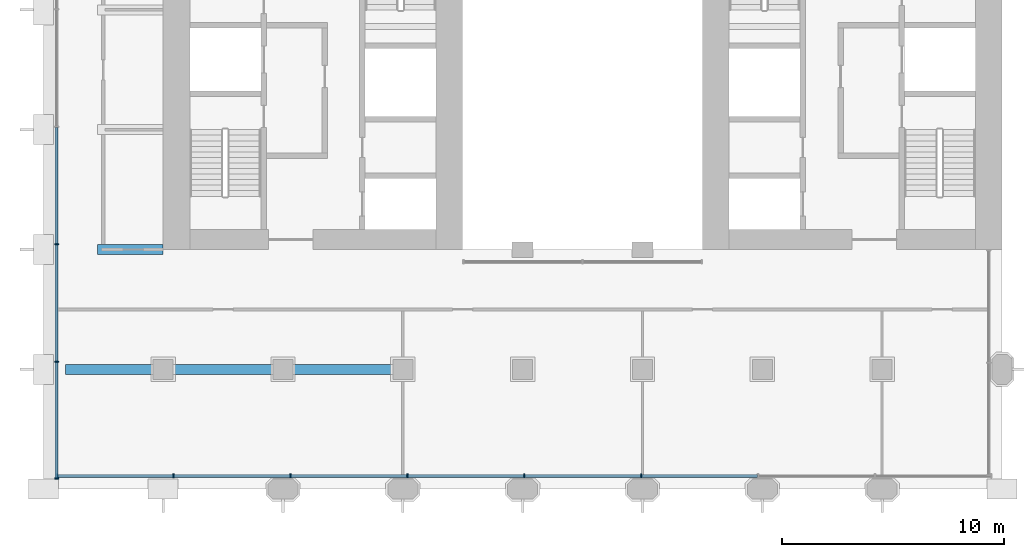
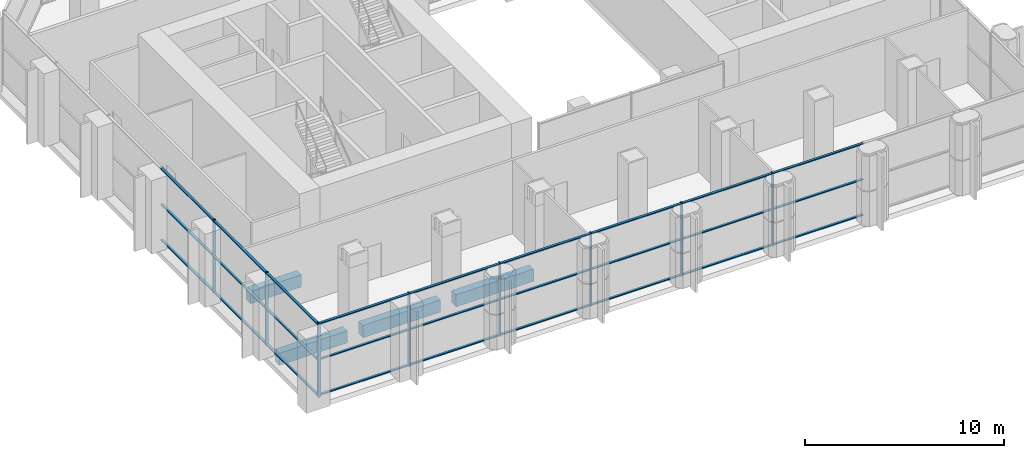
# One storey, part 2 of 15: 36 members, 4 beams, 2 elements without a shape of their own.
"""IFC4 building model written with IfcOpenShell, lengths in metres."""

from ifc_helpers import new_model, si_unit, direction, frame, origin, origin_2d, place, context, subcontext, project, spatial, rectangle, extrude, material, material_profile, profile_set, type_object, element, aggregate, save


model = new_model("IFC4")

# Units and contexts
model_context = context("Model", 3, precision=1e-05, world=origin(), true_north=direction((0.0, 1.0)))
body_context = subcontext(model_context, "Body", "Model", "MODEL_VIEW")
ifc_project = project(units=[si_unit("LENGTHUNIT", "METRE"), si_unit("AREAUNIT", "SQUARE_METRE"), si_unit("VOLUMEUNIT", "CUBIC_METRE"), si_unit("PLANEANGLEUNIT", "RADIAN"), si_unit("MASSUNIT", "GRAM", prefix="KILO")], contexts=[model_context])

# Site, building, storey
site_placement = place(None, origin())
site = spatial("IfcSite", under=ifc_project, at=site_placement, CompositionType="ELEMENT")
building_placement = place(site_placement, origin())
building = spatial("IfcBuilding", under=site, at=building_placement, Name="Tabaq Tower and Sports Hall", CompositionType="ELEMENT")
storey_placement = place(building_placement, frame((0.0, 0.0, 138.39990234375)))
storey = spatial("IfcBuildingStorey", under=building, at=storey_placement, Name="L32", CompositionType="ELEMENT", Elevation=138.39990234375)

# Curtain wall, members
ifc_material_1 = material(Name="Aluminium alloy 6063-T6 framed glazing", Category="aluminium")
curtain_wall_type = type_object("IfcCurtainWallType", Name="CW3 curtain wall", PredefinedType="USERDEFINED", material=ifc_material_1)
curtain_wall_1_placement = place(storey_placement, origin())
curtain_wall_1 = element("IfcCurtainWall", 1, at=curtain_wall_1_placement, inside=storey, type_object=curtain_wall_type, Name="Garden Floor Wall L32 S", ObjectType="GARDEN FLOOR WALL", PredefinedType="USERDEFINED")
ifc_material_2 = material(Name="Aluminium alloy 6063-T6", Category="aluminium")
ifc_material_profile_1 = material_profile(ifc_material_2, rectangle(XDim=0.179931640625, YDim=0.06005859375, at=origin_2d()), Name="MULLION 180x60")
ifc_profile_set_1 = profile_set([ifc_material_profile_1], Name="Aluminium alloy 6063-T6")
member_type_1 = type_object("IfcMemberType", Name="CW3 mullion 180x60", PredefinedType="MULLION", material=ifc_profile_set_1)
member_1_placement = place(storey_placement, frame((0.6298828125, 6.0, 0.0), z_axis=(0.0, 0.0, 1.0), x_axis=(0.0, 1.0, 0.0)))
member_1 = element("IfcMember", 2, at=member_1_placement, type_object=member_type_1, Name="CW3 mullion 1", PredefinedType="MULLION", context=body_context, shape_type="SweptSolid", body=[
    extrude(rectangle(XDim=0.179931640625, YDim=0.06005859375, at=origin_2d()), origin(), (0.0, 0.0, 1.0), 4.5),
])
member_2_placement = place(storey_placement, frame((5.86865234375, 6.0, 0.0), z_axis=(0.0, 0.0, 1.0), x_axis=(0.0, 1.0, 0.0)))
member_2 = element("IfcMember", 3, at=member_2_placement, type_object=member_type_1, Name="CW3 mullion 2", PredefinedType="MULLION", context=body_context, shape_type="SweptSolid", body=[
    extrude(rectangle(XDim=0.179931640625, YDim=0.06005859375, at=origin_2d()), origin(), (0.0, 0.0, 1.0), 4.5),
])
member_3_placement = place(storey_placement, frame((11.137451171875, 6.0, 0.0), z_axis=(0.0, 0.0, 1.0), x_axis=(0.0, 1.0, 0.0)))
member_3 = element("IfcMember", 4, at=member_3_placement, type_object=member_type_1, Name="CW3 mullion 3", PredefinedType="MULLION", context=body_context, shape_type="SweptSolid", body=[
    extrude(rectangle(XDim=0.179931640625, YDim=0.06005859375, at=origin_2d()), origin(), (0.0, 0.0, 1.0), 4.5),
])
member_4_placement = place(storey_placement, frame((16.40625, 6.0, 0.0), z_axis=(0.0, 0.0, 1.0), x_axis=(0.0, 1.0, 0.0)))
member_4 = element("IfcMember", 5, at=member_4_placement, type_object=member_type_1, Name="CW3 mullion 4", PredefinedType="MULLION", context=body_context, shape_type="SweptSolid", body=[
    extrude(rectangle(XDim=0.179931640625, YDim=0.06005859375, at=origin_2d()), origin(), (0.0, 0.0, 1.0), 4.5),
])
member_5_placement = place(storey_placement, frame((21.675048828125, 6.0, 0.0), z_axis=(0.0, 0.0, 1.0), x_axis=(0.0, 1.0, 0.0)))
member_5 = element("IfcMember", 6, at=member_5_placement, type_object=member_type_1, Name="CW3 mullion 5", PredefinedType="MULLION", context=body_context, shape_type="SweptSolid", body=[
    extrude(rectangle(XDim=0.179931640625, YDim=0.06005859375, at=origin_2d()), origin(), (0.0, 0.0, 1.0), 4.5),
])
member_6_placement = place(storey_placement, frame((26.94384765625, 6.0, 0.0), z_axis=(0.0, 0.0, 1.0), x_axis=(0.0, 1.0, 0.0)))
member_6 = element("IfcMember", 7, at=member_6_placement, type_object=member_type_1, Name="CW3 mullion 6", PredefinedType="MULLION", context=body_context, shape_type="SweptSolid", body=[
    extrude(rectangle(XDim=0.179931640625, YDim=0.06005859375, at=origin_2d()), origin(), (0.0, 0.0, 1.0), 4.5),
])

curtain_wall_2_placement = place(storey_placement, origin())
curtain_wall_2 = element("IfcCurtainWall", 8, at=curtain_wall_2_placement, inside=storey, type_object=curtain_wall_type, Name="Garden Floor Wall L32 W", ObjectType="GARDEN FLOOR WALL", PredefinedType="USERDEFINED")
member_7_placement = place(storey_placement, frame((0.60009765625, 16.43798828125, 0.0), z_axis=(0.0, 0.0, 1.0), x_axis=(1.0, 0.0, 0.0)))
member_7 = element("IfcMember", 9, at=member_7_placement, type_object=member_type_1, Name="CW3 mullion 5", PredefinedType="MULLION", context=body_context, shape_type="SweptSolid", body=[
    extrude(rectangle(XDim=0.179931640625, YDim=0.06005859375, at=origin_2d()), origin(), (0.0, 0.0, 1.0), 4.5),
])
member_8_placement = place(storey_placement, frame((0.60009765625, 11.14404296875, 0.0), z_axis=(0.0, 0.0, 1.0), x_axis=(1.0, 0.0, 0.0)))
member_8 = element("IfcMember", 10, at=member_8_placement, type_object=member_type_1, Name="CW3 mullion 6", PredefinedType="MULLION", context=body_context, shape_type="SweptSolid", body=[
    extrude(rectangle(XDim=0.179931640625, YDim=0.06005859375, at=origin_2d()), origin(), (0.0, 0.0, 1.0), 4.5),
])
member_9_placement = place(storey_placement, frame((0.60009765625, 5.8798828125, 0.0), z_axis=(0.0, 0.0, 1.0), x_axis=(1.0, 0.0, 0.0)))
member_9 = element("IfcMember", 11, at=member_9_placement, type_object=member_type_1, Name="CW3 mullion 7", PredefinedType="MULLION", context=body_context, shape_type="SweptSolid", body=[
    extrude(rectangle(XDim=0.179931640625, YDim=0.06005859375, at=origin_2d()), origin(), (0.0, 0.0, 1.0), 4.5),
])

# Member
ifc_material_3 = material(Name="Aluminium alloy 6063-T6", Category="aluminium")
ifc_material_profile_2 = material_profile(ifc_material_3, rectangle(XDim=0.139892578125, YDim=0.06005859375, at=origin_2d()), Name="TRANSOM 140x60")
ifc_profile_set_2 = profile_set([ifc_material_profile_2], Name="Aluminium alloy 6063-T6")
member_type_2 = type_object("IfcMemberType", Name="CW3 transom 140x60", PredefinedType="USERDEFINED", material=ifc_profile_set_2)
member_10_placement = place(storey_placement, frame((0.659912109375, 6.0, 0.070068359375), z_axis=(1.0, 0.0, 0.0), x_axis=(0.0, 1.0, 0.0)))
member_10 = element("IfcMember", 12, at=member_10_placement, type_object=member_type_2, Name="CW3 transom 1.1", ObjectType="TRANSOM", PredefinedType="USERDEFINED", context=body_context, shape_type="SweptSolid", body=[
    extrude(rectangle(XDim=0.139892578125, YDim=0.06005859375, at=origin_2d()), origin(), (0.0, 0.0, 1.0), 5.178955078125),
])

member_11_placement = place(storey_placement, frame((0.659912109375, 6.0, 2.25), z_axis=(1.0, 0.0, 0.0), x_axis=(0.0, 1.0, 0.0)))
member_11 = element("IfcMember", 13, at=member_11_placement, type_object=member_type_2, Name="CW3 transom 1.2", ObjectType="TRANSOM", PredefinedType="USERDEFINED", context=body_context, shape_type="SweptSolid", body=[
    extrude(rectangle(XDim=0.139892578125, YDim=0.06005859375, at=origin_2d()), origin(), (0.0, 0.0, 1.0), 5.178955078125),
])

member_12_placement = place(storey_placement, frame((0.659912109375, 6.0, 4.43017578125), z_axis=(1.0, 0.0, 0.0), x_axis=(0.0, 1.0, 0.0)))
member_12 = element("IfcMember", 14, at=member_12_placement, type_object=member_type_2, Name="CW3 transom 1.3", ObjectType="TRANSOM", PredefinedType="USERDEFINED", context=body_context, shape_type="SweptSolid", body=[
    extrude(rectangle(XDim=0.139892578125, YDim=0.06005859375, at=origin_2d()), origin(), (0.0, 0.0, 1.0), 5.178955078125),
])

member_13_placement = place(storey_placement, frame((5.898681640625, 6.0, 0.070068359375), z_axis=(1.0, 0.0, 0.0), x_axis=(0.0, 1.0, 0.0)))
member_13 = element("IfcMember", 15, at=member_13_placement, type_object=member_type_2, Name="CW3 transom 2.1", ObjectType="TRANSOM", PredefinedType="USERDEFINED", context=body_context, shape_type="SweptSolid", body=[
    extrude(rectangle(XDim=0.139892578125, YDim=0.06005859375, at=origin_2d()), origin(), (0.0, 0.0, 1.0), 5.208740234375),
])

member_14_placement = place(storey_placement, frame((5.898681640625, 6.0, 2.25), z_axis=(1.0, 0.0, 0.0), x_axis=(0.0, 1.0, 0.0)))
member_14 = element("IfcMember", 16, at=member_14_placement, type_object=member_type_2, Name="CW3 transom 2.2", ObjectType="TRANSOM", PredefinedType="USERDEFINED", context=body_context, shape_type="SweptSolid", body=[
    extrude(rectangle(XDim=0.139892578125, YDim=0.06005859375, at=origin_2d()), origin(), (0.0, 0.0, 1.0), 5.208740234375),
])

member_15_placement = place(storey_placement, frame((5.898681640625, 6.0, 4.43017578125), z_axis=(1.0, 0.0, 0.0), x_axis=(0.0, 1.0, 0.0)))
member_15 = element("IfcMember", 17, at=member_15_placement, type_object=member_type_2, Name="CW3 transom 2.3", ObjectType="TRANSOM", PredefinedType="USERDEFINED", context=body_context, shape_type="SweptSolid", body=[
    extrude(rectangle(XDim=0.139892578125, YDim=0.06005859375, at=origin_2d()), origin(), (0.0, 0.0, 1.0), 5.208740234375),
])

member_16_placement = place(storey_placement, frame((11.16748046875, 6.0, 0.070068359375), z_axis=(1.0, 0.0, 0.0), x_axis=(0.0, 1.0, 0.0)))
member_16 = element("IfcMember", 18, at=member_16_placement, type_object=member_type_2, Name="CW3 transom 3.1", ObjectType="TRANSOM", PredefinedType="USERDEFINED", context=body_context, shape_type="SweptSolid", body=[
    extrude(rectangle(XDim=0.139892578125, YDim=0.06005859375, at=origin_2d()), origin(), (0.0, 0.0, 1.0), 5.208740234375),
])

member_17_placement = place(storey_placement, frame((11.16748046875, 6.0, 2.25), z_axis=(1.0, 0.0, 0.0), x_axis=(0.0, 1.0, 0.0)))
member_17 = element("IfcMember", 19, at=member_17_placement, type_object=member_type_2, Name="CW3 transom 3.2", ObjectType="TRANSOM", PredefinedType="USERDEFINED", context=body_context, shape_type="SweptSolid", body=[
    extrude(rectangle(XDim=0.139892578125, YDim=0.06005859375, at=origin_2d()), origin(), (0.0, 0.0, 1.0), 5.208740234375),
])

member_18_placement = place(storey_placement, frame((11.16748046875, 6.0, 4.43017578125), z_axis=(1.0, 0.0, 0.0), x_axis=(0.0, 1.0, 0.0)))
member_18 = element("IfcMember", 20, at=member_18_placement, type_object=member_type_2, Name="CW3 transom 3.3", ObjectType="TRANSOM", PredefinedType="USERDEFINED", context=body_context, shape_type="SweptSolid", body=[
    extrude(rectangle(XDim=0.139892578125, YDim=0.06005859375, at=origin_2d()), origin(), (0.0, 0.0, 1.0), 5.208740234375),
])

member_19_placement = place(storey_placement, frame((16.436279296875, 6.0, 0.070068359375), z_axis=(1.0, 0.0, 0.0), x_axis=(0.0, 1.0, 0.0)))
member_19 = element("IfcMember", 21, at=member_19_placement, type_object=member_type_2, Name="CW3 transom 4.1", ObjectType="TRANSOM", PredefinedType="USERDEFINED", context=body_context, shape_type="SweptSolid", body=[
    extrude(rectangle(XDim=0.139892578125, YDim=0.06005859375, at=origin_2d()), origin(), (0.0, 0.0, 1.0), 5.208740234375),
])

member_20_placement = place(storey_placement, frame((16.436279296875, 6.0, 2.25), z_axis=(1.0, 0.0, 0.0), x_axis=(0.0, 1.0, 0.0)))
member_20 = element("IfcMember", 22, at=member_20_placement, type_object=member_type_2, Name="CW3 transom 4.2", ObjectType="TRANSOM", PredefinedType="USERDEFINED", context=body_context, shape_type="SweptSolid", body=[
    extrude(rectangle(XDim=0.139892578125, YDim=0.06005859375, at=origin_2d()), origin(), (0.0, 0.0, 1.0), 5.208740234375),
])

member_21_placement = place(storey_placement, frame((16.436279296875, 6.0, 4.43017578125), z_axis=(1.0, 0.0, 0.0), x_axis=(0.0, 1.0, 0.0)))
member_21 = element("IfcMember", 23, at=member_21_placement, type_object=member_type_2, Name="CW3 transom 4.3", ObjectType="TRANSOM", PredefinedType="USERDEFINED", context=body_context, shape_type="SweptSolid", body=[
    extrude(rectangle(XDim=0.139892578125, YDim=0.06005859375, at=origin_2d()), origin(), (0.0, 0.0, 1.0), 5.208740234375),
])

member_22_placement = place(storey_placement, frame((21.705078125, 6.0, 0.070068359375), z_axis=(1.0, 0.0, 0.0), x_axis=(0.0, 1.0, 0.0)))
member_22 = element("IfcMember", 24, at=member_22_placement, type_object=member_type_2, Name="CW3 transom 5.1", ObjectType="TRANSOM", PredefinedType="USERDEFINED", context=body_context, shape_type="SweptSolid", body=[
    extrude(rectangle(XDim=0.139892578125, YDim=0.06005859375, at=origin_2d()), origin(), (0.0, 0.0, 1.0), 5.208740234375),
])

member_23_placement = place(storey_placement, frame((21.705078125, 6.0, 2.25), z_axis=(1.0, 0.0, 0.0), x_axis=(0.0, 1.0, 0.0)))
member_23 = element("IfcMember", 25, at=member_23_placement, type_object=member_type_2, Name="CW3 transom 5.2", ObjectType="TRANSOM", PredefinedType="USERDEFINED", context=body_context, shape_type="SweptSolid", body=[
    extrude(rectangle(XDim=0.139892578125, YDim=0.06005859375, at=origin_2d()), origin(), (0.0, 0.0, 1.0), 5.208740234375),
])

member_24_placement = place(storey_placement, frame((21.705078125, 6.0, 4.43017578125), z_axis=(1.0, 0.0, 0.0), x_axis=(0.0, 1.0, 0.0)))
member_24 = element("IfcMember", 26, at=member_24_placement, type_object=member_type_2, Name="CW3 transom 5.3", ObjectType="TRANSOM", PredefinedType="USERDEFINED", context=body_context, shape_type="SweptSolid", body=[
    extrude(rectangle(XDim=0.139892578125, YDim=0.06005859375, at=origin_2d()), origin(), (0.0, 0.0, 1.0), 5.208740234375),
])

member_25_placement = place(storey_placement, frame((26.9736328125, 6.0, 0.070068359375), z_axis=(1.0, 0.0, 0.0), x_axis=(0.0, 1.0, 0.0)))
member_25 = element("IfcMember", 27, at=member_25_placement, type_object=member_type_2, Name="CW3 transom 6.1", ObjectType="TRANSOM", PredefinedType="USERDEFINED", context=body_context, shape_type="SweptSolid", body=[
    extrude(rectangle(XDim=0.139892578125, YDim=0.06005859375, at=origin_2d()), origin(), (0.0, 0.0, 1.0), 5.208984375),
])

member_26_placement = place(storey_placement, frame((26.9736328125, 6.0, 2.25), z_axis=(1.0, 0.0, 0.0), x_axis=(0.0, 1.0, 0.0)))
member_26 = element("IfcMember", 28, at=member_26_placement, type_object=member_type_2, Name="CW3 transom 6.2", ObjectType="TRANSOM", PredefinedType="USERDEFINED", context=body_context, shape_type="SweptSolid", body=[
    extrude(rectangle(XDim=0.139892578125, YDim=0.06005859375, at=origin_2d()), origin(), (0.0, 0.0, 1.0), 5.208984375),
])

member_27_placement = place(storey_placement, frame((26.9736328125, 6.0, 4.43017578125), z_axis=(1.0, 0.0, 0.0), x_axis=(0.0, 1.0, 0.0)))
member_27 = element("IfcMember", 29, at=member_27_placement, type_object=member_type_2, Name="CW3 transom 6.3", ObjectType="TRANSOM", PredefinedType="USERDEFINED", context=body_context, shape_type="SweptSolid", body=[
    extrude(rectangle(XDim=0.139892578125, YDim=0.06005859375, at=origin_2d()), origin(), (0.0, 0.0, 1.0), 5.208984375),
])

aggregate(curtain_wall_1, [member_1, member_2, member_3, member_4, member_5, member_6, member_10, member_11, member_12, member_13, member_14, member_15, member_16, member_17, member_18, member_19, member_20, member_21, member_22, member_23, member_24, member_25, member_26, member_27])

member_28_placement = place(storey_placement, frame((0.60009765625, 21.701904296875, 0.070068359375), z_axis=(0.0, -1.0, 0.0), x_axis=(1.0, 0.0, 0.0)))
member_28 = element("IfcMember", 30, at=member_28_placement, type_object=member_type_2, Name="CW3 transom 4.1", ObjectType="TRANSOM", PredefinedType="USERDEFINED", context=body_context, shape_type="SweptSolid", body=[
    extrude(rectangle(XDim=0.139892578125, YDim=0.06005859375, at=origin_2d()), origin(), (0.0, 0.0, 1.0), 5.234130859375),
])

member_29_placement = place(storey_placement, frame((0.60009765625, 21.701904296875, 2.25), z_axis=(0.0, -1.0, 0.0), x_axis=(1.0, 0.0, 0.0)))
member_29 = element("IfcMember", 31, at=member_29_placement, type_object=member_type_2, Name="CW3 transom 4.2", ObjectType="TRANSOM", PredefinedType="USERDEFINED", context=body_context, shape_type="SweptSolid", body=[
    extrude(rectangle(XDim=0.139892578125, YDim=0.06005859375, at=origin_2d()), origin(), (0.0, 0.0, 1.0), 5.234130859375),
])

member_30_placement = place(storey_placement, frame((0.60009765625, 21.701904296875, 4.43017578125), z_axis=(0.0, -1.0, 0.0), x_axis=(1.0, 0.0, 0.0)))
member_30 = element("IfcMember", 32, at=member_30_placement, type_object=member_type_2, Name="CW3 transom 4.3", ObjectType="TRANSOM", PredefinedType="USERDEFINED", context=body_context, shape_type="SweptSolid", body=[
    extrude(rectangle(XDim=0.139892578125, YDim=0.06005859375, at=origin_2d()), origin(), (0.0, 0.0, 1.0), 5.234130859375),
])

member_31_placement = place(storey_placement, frame((0.60009765625, 16.407958984375, 0.070068359375), z_axis=(0.0, -1.0, 0.0), x_axis=(1.0, 0.0, 0.0)))
member_31 = element("IfcMember", 33, at=member_31_placement, type_object=member_type_2, Name="CW3 transom 5.1", ObjectType="TRANSOM", PredefinedType="USERDEFINED", context=body_context, shape_type="SweptSolid", body=[
    extrude(rectangle(XDim=0.139892578125, YDim=0.06005859375, at=origin_2d()), origin(), (0.0, 0.0, 1.0), 5.234130859375),
])

member_32_placement = place(storey_placement, frame((0.60009765625, 16.407958984375, 2.25), z_axis=(0.0, -1.0, 0.0), x_axis=(1.0, 0.0, 0.0)))
member_32 = element("IfcMember", 34, at=member_32_placement, type_object=member_type_2, Name="CW3 transom 5.2", ObjectType="TRANSOM", PredefinedType="USERDEFINED", context=body_context, shape_type="SweptSolid", body=[
    extrude(rectangle(XDim=0.139892578125, YDim=0.06005859375, at=origin_2d()), origin(), (0.0, 0.0, 1.0), 5.234130859375),
])

member_33_placement = place(storey_placement, frame((0.60009765625, 16.407958984375, 4.43017578125), z_axis=(0.0, -1.0, 0.0), x_axis=(1.0, 0.0, 0.0)))
member_33 = element("IfcMember", 35, at=member_33_placement, type_object=member_type_2, Name="CW3 transom 5.3", ObjectType="TRANSOM", PredefinedType="USERDEFINED", context=body_context, shape_type="SweptSolid", body=[
    extrude(rectangle(XDim=0.139892578125, YDim=0.06005859375, at=origin_2d()), origin(), (0.0, 0.0, 1.0), 5.234130859375),
])

member_34_placement = place(storey_placement, frame((0.60009765625, 11.114013671875, 0.070068359375), z_axis=(0.0, -1.0, 0.0), x_axis=(1.0, 0.0, 0.0)))
member_34 = element("IfcMember", 36, at=member_34_placement, type_object=member_type_2, Name="CW3 transom 6.1", ObjectType="TRANSOM", PredefinedType="USERDEFINED", context=body_context, shape_type="SweptSolid", body=[
    extrude(rectangle(XDim=0.139892578125, YDim=0.06005859375, at=origin_2d()), origin(), (0.0, 0.0, 1.0), 5.2041015625),
])

member_35_placement = place(storey_placement, frame((0.60009765625, 11.114013671875, 2.25), z_axis=(0.0, -1.0, 0.0), x_axis=(1.0, 0.0, 0.0)))
member_35 = element("IfcMember", 37, at=member_35_placement, type_object=member_type_2, Name="CW3 transom 6.2", ObjectType="TRANSOM", PredefinedType="USERDEFINED", context=body_context, shape_type="SweptSolid", body=[
    extrude(rectangle(XDim=0.139892578125, YDim=0.06005859375, at=origin_2d()), origin(), (0.0, 0.0, 1.0), 5.2041015625),
])

member_36_placement = place(storey_placement, frame((0.60009765625, 11.114013671875, 4.43017578125), z_axis=(0.0, -1.0, 0.0), x_axis=(1.0, 0.0, 0.0)))
member_36 = element("IfcMember", 38, at=member_36_placement, type_object=member_type_2, Name="CW3 transom 6.3", ObjectType="TRANSOM", PredefinedType="USERDEFINED", context=body_context, shape_type="SweptSolid", body=[
    extrude(rectangle(XDim=0.139892578125, YDim=0.06005859375, at=origin_2d()), origin(), (0.0, 0.0, 1.0), 5.2041015625),
])

aggregate(curtain_wall_2, [member_7, member_8, member_9, member_28, member_29, member_30, member_31, member_32, member_33, member_34, member_35, member_36])

# Beams
ifc_material_4 = material(Name="Concrete C40/50", Category="concrete")
ifc_material_profile_3 = material_profile(ifc_material_4, rectangle(XDim=0.449951171875, YDim=0.75, at=origin_2d()), Name="CB 450x750")
ifc_profile_set_3 = profile_set([ifc_material_profile_3], Name="Concrete C40/50")
beam_type = type_object("IfcBeamType", Name="PT CANTILEVER BEAM CB 450x750 C40/50", PredefinedType="BEAM", material=ifc_profile_set_3)
beam_1_placement = place(storey_placement, frame((1.0, 10.800048828125, -0.6748046875), z_axis=(1.0, 0.0, 0.0), x_axis=(0.0, 1.0, 0.0)))
element("IfcBeam", 39, at=beam_1_placement, inside=storey, type_object=beam_type, Name="Cantilever Beam L32 W2 span 1", PredefinedType="BEAM", context=body_context, shape_type="SweptSolid", body=[
    extrude(rectangle(XDim=0.449951171875, YDim=0.75, at=origin_2d()), origin(), (0.0, 0.0, 1.0), 3.949951171875),
])
for number, where, z_axis, x_axis, name in (
    (40, (5.85009765625, 10.800048828125, -0.6748046875), (1.0, 0.0, 0.0), (0.0, 1.0, 0.0), "Cantilever Beam L32 W2 span 2"),
    (41, (11.25, 10.800048828125, -0.6748046875), (1.0, 0.0, 0.0), (0.0, 1.0, 0.0), "Cantilever Beam L32 W2 span 3"),
):
    element("IfcBeam", number, at=place(storey_placement, frame(where, z_axis=z_axis, x_axis=x_axis)), inside=storey, type_object=beam_type, Name=name, PredefinedType="BEAM", context=body_context, shape_type="SweptSolid", body=[
        extrude(rectangle(XDim=0.449951171875, YDim=0.75, at=origin_2d()), origin(), (0.0, 0.0, 1.0), 4.5),
    ])
beam_2_placement = place(storey_placement, frame((2.449951171875, 16.199951171875, -0.6748046875), z_axis=(1.0, 0.0, 0.0), x_axis=(0.0, 1.0, 0.0)))
element("IfcBeam", 42, at=beam_2_placement, inside=storey, type_object=beam_type, Name="Cantilever Beam L32 W3 span 1", PredefinedType="BEAM", context=body_context, shape_type="SweptSolid", body=[
    extrude(rectangle(XDim=0.449951171875, YDim=0.75, at=origin_2d()), origin(), (0.0, 0.0, 1.0), 2.949951171875),
])

save(model, "model.ifc")
